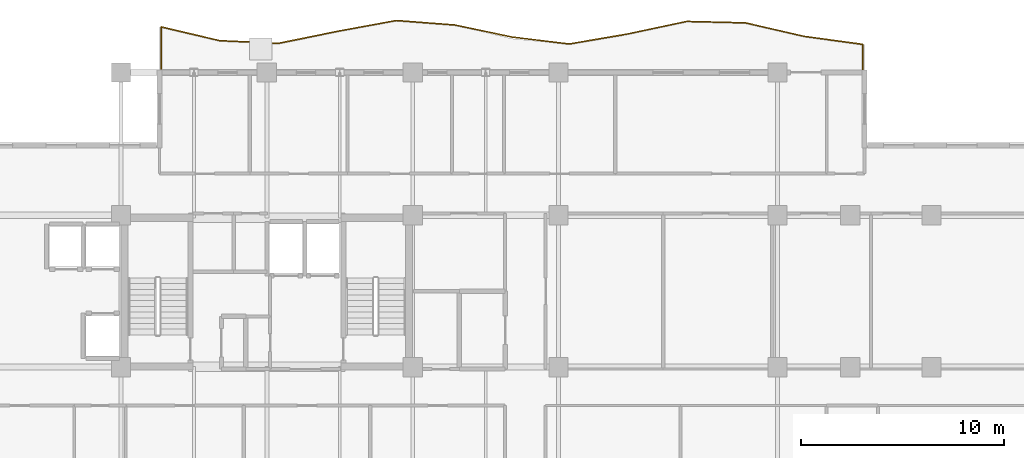
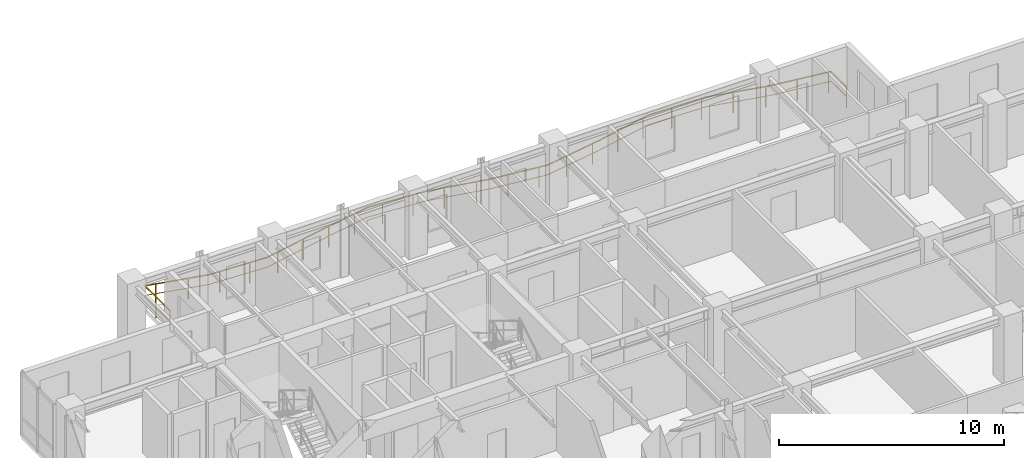
# One storey, part 20 of 20: 1 railing.
"""IFC4 building model written with IfcOpenShell, lengths in metres."""

from ifc_helpers import new_model, si_unit, direction, frame, origin, origin_2d, place, context, subcontext, project, spatial, rectangle, extrude, material, type_object, element, save


model = new_model("IFC4")

# Units and contexts
model_context = context("Model", 3, precision=1e-05, world=origin(), true_north=direction((0.0, 1.0)))
body_context = subcontext(model_context, "Body", "Model", "MODEL_VIEW")
ifc_project = project(units=[si_unit("LENGTHUNIT", "METRE"), si_unit("AREAUNIT", "SQUARE_METRE"), si_unit("VOLUMEUNIT", "CUBIC_METRE"), si_unit("PLANEANGLEUNIT", "RADIAN"), si_unit("MASSUNIT", "GRAM", prefix="KILO")], contexts=[model_context])

# Site, building, storey
site_placement = place(None, origin())
site = spatial("IfcSite", under=ifc_project, at=site_placement, CompositionType="ELEMENT")
building_placement = place(site_placement, origin())
building = spatial("IfcBuilding", under=site, at=building_placement, Name="Kaliganga Portal Commons", CompositionType="ELEMENT")
storey_placement = place(building_placement, frame((0.0, 0.0, 231.39990234375)))
storey = spatial("IfcBuildingStorey", under=building, at=storey_placement, Name="L59", CompositionType="ELEMENT", Elevation=231.39990234375)

# Railing
ifc_material = material(Name="Laminated Safety Glass and Stainless Steel 316", Category="steel")
railing_type = type_object("IfcRailingType", Name="RLG-BAL-1150", PredefinedType="BALUSTRADE", material=ifc_material)
railing_placement = place(storey_placement, frame((51.0205078125, 43.207763671875, 0.0)))
element("IfcRailing", 1, at=railing_placement, inside=storey, type_object=railing_type, Name="Balcony Guardrail L59 balc_north", PredefinedType="BALUSTRADE", context=body_context, shape_type="SweptSolid", body=[
    extrude(rectangle(XDim=0.048095703125, YDim=0.048095703125, at=origin_2d()), frame((0.0, 0.0, 1.1259765625), z_axis=(-0.000354924556, 0.999999937014, 0.0), x_axis=(-0.999999937014, -0.000354924556, 0.0)), (0.0, 0.0, 1.0), 1.375732421875),
    extrude(rectangle(XDim=0.028076171875, YDim=0.028076171875, at=origin_2d()), frame((0.0, 0.0, 0.597900390625), z_axis=(-0.000354924556, 0.999999937014, 0.0), x_axis=(-0.999999937014, -0.000354924556, 0.0)), (0.0, 0.0, 1.0), 1.375732421875),
    extrude(rectangle(XDim=0.048095703125, YDim=0.048095703125, at=origin_2d()), frame((-0.00048828125, 1.375732421875, 1.1259765625), z_axis=(-0.99086060041, 0.134889846006, 0.0), x_axis=(-0.134889846006, -0.99086060041, 0.0)), (0.0, 0.0, 1.0), 2.9267578125),
    extrude(rectangle(XDim=0.028076171875, YDim=0.028076171875, at=origin_2d()), frame((-0.00048828125, 1.375732421875, 0.597900390625), z_axis=(-0.99086060041, 0.134889846006, 0.0), x_axis=(-0.134889846006, -0.99086060041, 0.0)), (0.0, 0.0, 1.0), 2.9267578125),
    extrude(rectangle(XDim=0.048095703125, YDim=0.048095703125, at=origin_2d()), frame((-2.900390625, 1.7705078125, 1.1259765625), z_axis=(-0.974446472687, 0.224619838543, 0.0), x_axis=(-0.224619838543, -0.974446472687, 0.0)), (0.0, 0.0, 1.0), 2.975830078125),
    extrude(rectangle(XDim=0.028076171875, YDim=0.028076171875, at=origin_2d()), frame((-2.900390625, 1.7705078125, 0.597900390625), z_axis=(-0.974446472687, 0.224619838543, 0.0), x_axis=(-0.224619838543, -0.974446472687, 0.0)), (0.0, 0.0, 1.0), 2.975830078125),
    extrude(rectangle(XDim=0.048095703125, YDim=0.048095703125, at=origin_2d()), frame((-5.80029296875, 2.43896484375, 1.1259765625), z_axis=(-0.999706183013, 0.02423938211, 0.0), x_axis=(-0.02423938211, -0.999706183013, 0.0)), (0.0, 0.0, 1.0), 2.900634765625),
    extrude(rectangle(XDim=0.028076171875, YDim=0.028076171875, at=origin_2d()), frame((-5.80029296875, 2.43896484375, 0.597900390625), z_axis=(-0.999706183013, 0.02423938211, 0.0), x_axis=(-0.02423938211, -0.999706183013, 0.0)), (0.0, 0.0, 1.0), 2.900634765625),
    extrude(rectangle(XDim=0.048095703125, YDim=0.048095703125, at=origin_2d()), frame((-8.7001953125, 2.50927734375, 1.1259765625), z_axis=(-0.978046340269, -0.208387514708, 0.0), x_axis=(0.208387514708, -0.978046340269, 0.0)), (0.0, 0.0, 1.0), 2.96533203125),
    extrude(rectangle(XDim=0.028076171875, YDim=0.028076171875, at=origin_2d()), frame((-8.7001953125, 2.50927734375, 0.597900390625), z_axis=(-0.978046340269, -0.208387514708, 0.0), x_axis=(0.208387514708, -0.978046340269, 0.0)), (0.0, 0.0, 1.0), 2.96533203125),
    extrude(rectangle(XDim=0.048095703125, YDim=0.048095703125, at=origin_2d()), frame((-11.600341796875, 1.891357421875, 1.1259765625), z_axis=(-0.985692065133, -0.168556081863, 0.0), x_axis=(0.168556081863, -0.985692065133, 0.0)), (0.0, 0.0, 1.0), 2.941650390625),
    extrude(rectangle(XDim=0.028076171875, YDim=0.028076171875, at=origin_2d()), frame((-11.600341796875, 1.891357421875, 0.597900390625), z_axis=(-0.985692065133, -0.168556081863, 0.0), x_axis=(0.168556081863, -0.985692065133, 0.0)), (0.0, 0.0, 1.0), 2.941650390625),
    extrude(rectangle(XDim=0.048095703125, YDim=0.048095703125, at=origin_2d()), frame((-14.5, 1.3955078125, 1.1259765625), z_axis=(-0.992758024655, 0.120131196959, 0.0), x_axis=(-0.120131196959, -0.992758024655, 0.0)), (0.0, 0.0, 1.0), 2.841064453125),
    extrude(rectangle(XDim=0.028076171875, YDim=0.028076171875, at=origin_2d()), frame((-14.5, 1.3955078125, 0.597900390625), z_axis=(-0.992758024655, 0.120131196959, 0.0), x_axis=(-0.120131196959, -0.992758024655, 0.0)), (0.0, 0.0, 1.0), 2.841064453125),
    extrude(rectangle(XDim=0.048095703125, YDim=0.048095703125, at=origin_2d()), frame((-17.320556640625, 1.73681640625, 1.1259765625), z_axis=(-0.978386930141, 0.206782530525, 0.0), x_axis=(-0.206782530525, -0.978386930141, 0.0)), (0.0, 0.0, 1.0), 2.88427734375),
    extrude(rectangle(XDim=0.028076171875, YDim=0.028076171875, at=origin_2d()), frame((-17.320556640625, 1.73681640625, 0.597900390625), z_axis=(-0.978386930141, 0.206782530525, 0.0), x_axis=(-0.206782530525, -0.978386930141, 0.0)), (0.0, 0.0, 1.0), 2.88427734375),
    extrude(rectangle(XDim=0.048095703125, YDim=0.048095703125, at=origin_2d()), frame((-20.142578125, 2.333251953125, 1.1259765625), z_axis=(-0.99710808201, 0.075996531432, 0.0), x_axis=(-0.075996531432, -0.99710808201, 0.0)), (0.0, 0.0, 1.0), 2.9072265625),
    extrude(rectangle(XDim=0.028076171875, YDim=0.028076171875, at=origin_2d()), frame((-20.142578125, 2.333251953125, 0.597900390625), z_axis=(-0.99710808201, 0.075996531432, 0.0), x_axis=(-0.075996531432, -0.99710808201, 0.0)), (0.0, 0.0, 1.0), 2.9072265625),
    extrude(rectangle(XDim=0.048095703125, YDim=0.048095703125, at=origin_2d()), frame((-23.04150390625, 2.55419921875, 1.1259765625), z_axis=(-0.983342354435, -0.181763070988, 0.0), x_axis=(0.181763070988, -0.983342354435, 0.0)), (0.0, 0.0, 1.0), 2.9482421875),
    extrude(rectangle(XDim=0.028076171875, YDim=0.028076171875, at=origin_2d()), frame((-23.04150390625, 2.55419921875, 0.597900390625), z_axis=(-0.983342354435, -0.181763070988, 0.0), x_axis=(0.181763070988, -0.983342354435, 0.0)), (0.0, 0.0, 1.0), 2.9482421875),
    extrude(rectangle(XDim=0.048095703125, YDim=0.048095703125, at=origin_2d()), frame((-25.940673828125, 2.018310546875, 1.1259765625), z_axis=(-0.979950588379, -0.199240669383, 0.0), x_axis=(0.199240669383, -0.979950588379, 0.0)), (0.0, 0.0, 1.0), 2.959228515625),
    extrude(rectangle(XDim=0.028076171875, YDim=0.028076171875, at=origin_2d()), frame((-25.940673828125, 2.018310546875, 0.597900390625), z_axis=(-0.979950588379, -0.199240669383, 0.0), x_axis=(0.199240669383, -0.979950588379, 0.0)), (0.0, 0.0, 1.0), 2.959228515625),
    extrude(rectangle(XDim=0.048095703125, YDim=0.048095703125, at=origin_2d()), frame((-28.840576171875, 1.4287109375, 1.1259765625), z_axis=(-0.99900974, 0.044492014856, 0.0), x_axis=(-0.044492014856, -0.99900974, 0.0)), (0.0, 0.0, 1.0), 2.90283203125),
    extrude(rectangle(XDim=0.028076171875, YDim=0.028076171875, at=origin_2d()), frame((-28.840576171875, 1.4287109375, 0.597900390625), z_axis=(-0.99900974, 0.044492014856, 0.0), x_axis=(-0.044492014856, -0.99900974, 0.0)), (0.0, 0.0, 1.0), 2.90283203125),
    extrude(rectangle(XDim=0.048095703125, YDim=0.048095703125, at=origin_2d()), frame((-31.740478515625, 1.557861328125, 1.1259765625), z_axis=(-0.973436509491, 0.228957118235, 0.0), x_axis=(-0.228957118235, -0.973436509491, 0.0)), (0.0, 0.0, 1.0), 2.979248046875),
    extrude(rectangle(XDim=0.028076171875, YDim=0.028076171875, at=origin_2d()), frame((-31.740478515625, 1.557861328125, 0.597900390625), z_axis=(-0.973436509491, 0.228957118235, 0.0), x_axis=(-0.228957118235, -0.973436509491, 0.0)), (0.0, 0.0, 1.0), 2.979248046875),
    extrude(rectangle(XDim=0.048095703125, YDim=0.048095703125, at=origin_2d()), frame((-34.640625, 2.239990234375, 1.1259765625), z_axis=(-0.000108991825, -0.99999999406, 0.0), x_axis=(0.99999999406, -0.000108991825, 0.0)), (0.0, 0.0, 1.0), 2.239990234375),
    extrude(rectangle(XDim=0.028076171875, YDim=0.028076171875, at=origin_2d()), frame((-34.640625, 2.239990234375, 0.597900390625), z_axis=(-0.000108991825, -0.99999999406, 0.0), x_axis=(0.99999999406, -0.000108991825, 0.0)), (0.0, 0.0, 1.0), 2.239990234375),
    extrude(rectangle(XDim=0.0419921875, YDim=0.0419921875, at=origin_2d()), origin(), (0.0, 0.0, 1.0), 1.101806640625),
    extrude(rectangle(XDim=0.0419921875, YDim=0.0419921875, at=origin_2d()), frame((-0.12353515625, 1.392578125, 0.0)), (0.0, 0.0, 1.0), 1.101806640625),
    extrude(rectangle(XDim=0.0419921875, YDim=0.0419921875, at=origin_2d()), frame((-1.60986328125, 1.5947265625, 0.0)), (0.0, 0.0, 1.0), 1.101806640625),
    extrude(rectangle(XDim=0.0419921875, YDim=0.0419921875, at=origin_2d()), frame((-3.093017578125, 1.81494140625, 0.0)), (0.0, 0.0, 1.0), 1.101806640625),
    extrude(rectangle(XDim=0.0419921875, YDim=0.0419921875, at=origin_2d()), frame((-4.5546875, 2.15185546875, 0.0)), (0.0, 0.0, 1.0), 1.101806640625),
    extrude(rectangle(XDim=0.0419921875, YDim=0.0419921875, at=origin_2d()), frame((-6.02197265625, 2.4443359375, 0.0)), (0.0, 0.0, 1.0), 1.101806640625),
    extrude(rectangle(XDim=0.0419921875, YDim=0.0419921875, at=origin_2d()), frame((-7.521484375, 2.480712890625, 0.0)), (0.0, 0.0, 1.0), 1.101806640625),
    extrude(rectangle(XDim=0.0419921875, YDim=0.0419921875, at=origin_2d()), frame((-9.01416015625, 2.4423828125, 0.0)), (0.0, 0.0, 1.0), 1.101806640625),
    extrude(rectangle(XDim=0.0419921875, YDim=0.0419921875, at=origin_2d()), frame((-10.481201171875, 2.1298828125, 0.0)), (0.0, 0.0, 1.0), 1.101806640625),
    extrude(rectangle(XDim=0.0419921875, YDim=0.0419921875, at=origin_2d()), frame((-11.950927734375, 1.831298828125, 0.0)), (0.0, 0.0, 1.0), 1.101806640625),
    extrude(rectangle(XDim=0.0419921875, YDim=0.0419921875, at=origin_2d()), frame((-13.429443359375, 1.57861328125, 0.0)), (0.0, 0.0, 1.0), 1.101806640625),
    extrude(rectangle(XDim=0.0419921875, YDim=0.0419921875, at=origin_2d()), frame((-14.910888671875, 1.4453125, 0.0)), (0.0, 0.0, 1.0), 1.101806640625),
    extrude(rectangle(XDim=0.0419921875, YDim=0.0419921875, at=origin_2d()), frame((-16.400146484375, 1.62548828125, 0.0)), (0.0, 0.0, 1.0), 1.101806640625),
    extrude(rectangle(XDim=0.0419921875, YDim=0.0419921875, at=origin_2d()), frame((-17.880859375, 1.855224609375, 0.0)), (0.0, 0.0, 1.0), 1.101806640625),
    extrude(rectangle(XDim=0.0419921875, YDim=0.0419921875, at=origin_2d()), frame((-19.3486328125, 2.16552734375, 0.0)), (0.0, 0.0, 1.0), 1.101806640625),
    extrude(rectangle(XDim=0.0419921875, YDim=0.0419921875, at=origin_2d()), frame((-20.8291015625, 2.385498046875, 0.0)), (0.0, 0.0, 1.0), 1.101806640625),
    extrude(rectangle(XDim=0.0419921875, YDim=0.0419921875, at=origin_2d()), frame((-22.32470703125, 2.49951171875, 0.0)), (0.0, 0.0, 1.0), 1.101806640625),
    extrude(rectangle(XDim=0.0419921875, YDim=0.0419921875, at=origin_2d()), frame((-23.8095703125, 2.412109375, 0.0)), (0.0, 0.0, 1.0), 1.101806640625),
    extrude(rectangle(XDim=0.0419921875, YDim=0.0419921875, at=origin_2d()), frame((-25.28466796875, 2.1396484375, 0.0)), (0.0, 0.0, 1.0), 1.101806640625),
    extrude(rectangle(XDim=0.0419921875, YDim=0.0419921875, at=origin_2d()), frame((-26.7568359375, 1.852294921875, 0.0)), (0.0, 0.0, 1.0), 1.101806640625),
    extrude(rectangle(XDim=0.0419921875, YDim=0.0419921875, at=origin_2d()), frame((-28.226806640625, 1.553466796875, 0.0)), (0.0, 0.0, 1.0), 1.101806640625),
    extrude(rectangle(XDim=0.0419921875, YDim=0.0419921875, at=origin_2d()), frame((-29.71337890625, 1.467529296875, 0.0)), (0.0, 0.0, 1.0), 1.101806640625),
    extrude(rectangle(XDim=0.0419921875, YDim=0.0419921875, at=origin_2d()), frame((-31.2119140625, 1.534423828125, 0.0)), (0.0, 0.0, 1.0), 1.101806640625),
    extrude(rectangle(XDim=0.0419921875, YDim=0.0419921875, at=origin_2d()), frame((-32.685546875, 1.780029296875, 0.0)), (0.0, 0.0, 1.0), 1.101806640625),
    extrude(rectangle(XDim=0.0419921875, YDim=0.0419921875, at=origin_2d()), frame((-34.145751953125, 2.12353515625, 0.0)), (0.0, 0.0, 1.0), 1.101806640625),
    extrude(rectangle(XDim=0.0419921875, YDim=0.0419921875, at=origin_2d()), frame((-34.640625, 1.24853515625, 0.0)), (0.0, 0.0, 1.0), 1.101806640625),
    extrude(rectangle(XDim=0.0419921875, YDim=0.0419921875, at=origin_2d()), frame((-34.640869140625, 0.0, 0.0)), (0.0, 0.0, 1.0), 1.101806640625),
])

save(model, "model.ifc")
